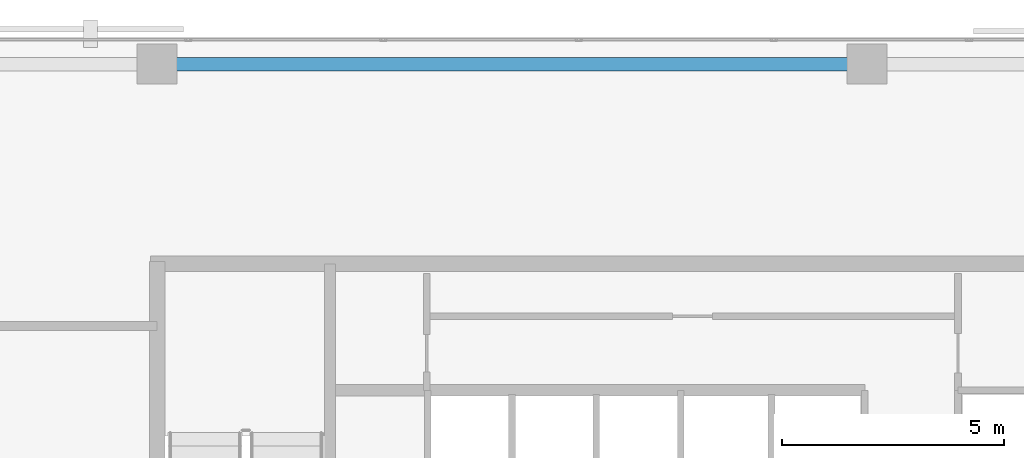
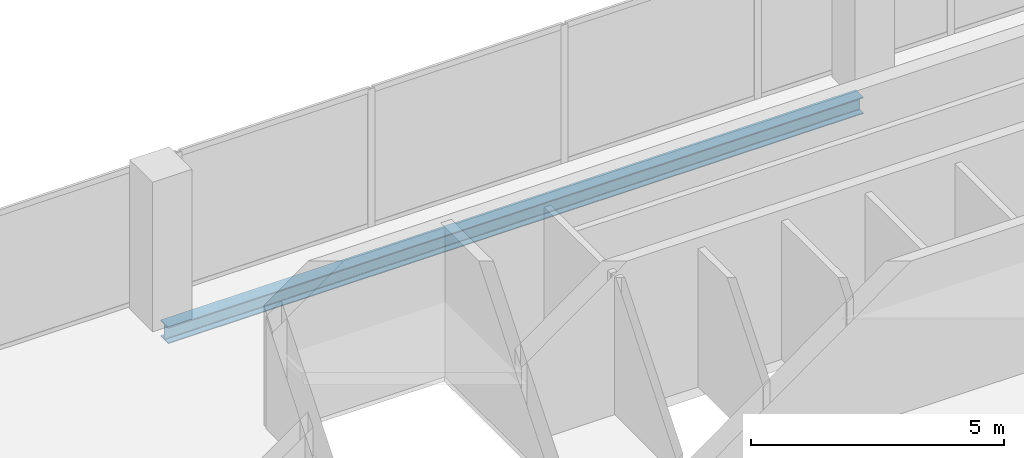
# One storey, part 21 of 34: 1 beam.
"""IFC4 building model written with IfcOpenShell, lengths in metres."""

from ifc_helpers import new_model, si_unit, direction, frame, origin, origin_2d, place, context, subcontext, project, spatial, i_section, extrude, material, material_profile, profile_set, type_object, element, save


model = new_model("IFC4")

# Units and contexts
model_context = context("Model", 3, precision=1e-05, world=origin(), true_north=direction((0.0, 1.0)))
body_context = subcontext(model_context, "Body", "Model", "MODEL_VIEW")
ifc_project = project(units=[si_unit("LENGTHUNIT", "METRE"), si_unit("AREAUNIT", "SQUARE_METRE"), si_unit("VOLUMEUNIT", "CUBIC_METRE"), si_unit("PLANEANGLEUNIT", "RADIAN"), si_unit("MASSUNIT", "GRAM", prefix="KILO")], contexts=[model_context])

# Site, building, storey
site_placement = place(None, origin())
site = spatial("IfcSite", under=ifc_project, at=site_placement, CompositionType="ELEMENT")
building_placement = place(site_placement, origin())
building = spatial("IfcBuilding", under=site, at=building_placement, Name="Catumbela Crestline Tower", CompositionType="ELEMENT")
storey_placement = place(building_placement, frame((0.0, 0.0, 93.6)))
storey = spatial("IfcBuildingStorey", under=building, at=storey_placement, Name="L23", CompositionType="ELEMENT", Elevation=93.6)

# Beam
ifc_material = material(Name="Structural steel S355J2", Category="steel")
ifc_material_profile = material_profile(ifc_material, i_section(OverallWidth=0.3, OverallDepth=0.4, WebThickness=0.0135, FlangeThickness=0.024, FilletRadius=0.027, at=origin_2d()), Name="HEB 400")
ifc_profile_set = profile_set([ifc_material_profile], Name="Structural steel S355J2")
beam_type = type_object("IfcBeamType", Name="BS-HEB400", PredefinedType="SPANDREL", material=ifc_profile_set)
beam_placement = place(storey_placement, frame((16.08, 47.4, -0.46), z_axis=(1.0, 0.0, 0.0), x_axis=(0.0, 1.0, 0.0)))
element("IfcBeam", 1, at=beam_placement, inside=storey, type_object=beam_type, Name="L23 Spandrel SP-L23-NF19", PredefinedType="SPANDREL", context=body_context, shape_type="SweptSolid", body=[
    extrude(i_section(OverallWidth=0.3, OverallDepth=0.4, WebThickness=0.0135, FlangeThickness=0.024, FilletRadius=0.027, at=origin_2d()), origin(), (0.0, 0.0, 1.0), 15.84),
])

save(model, "model.ifc")
